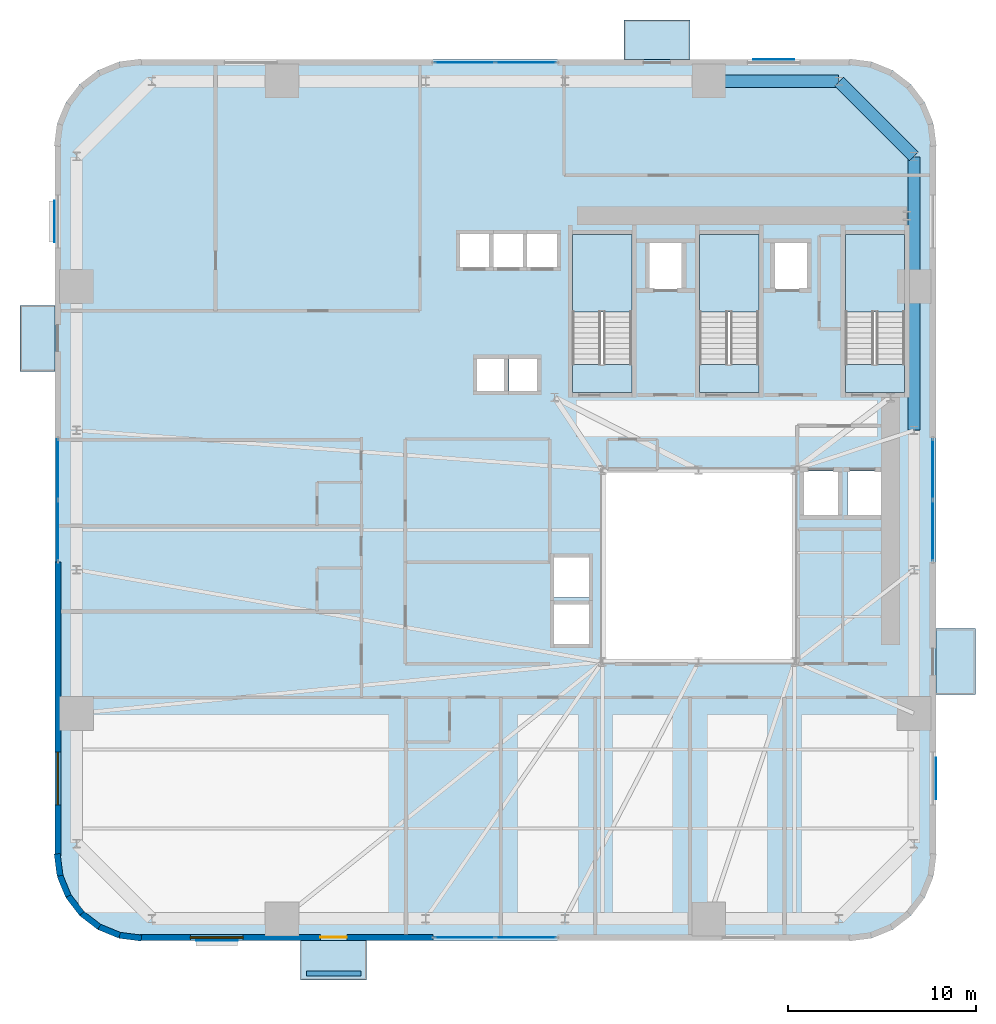
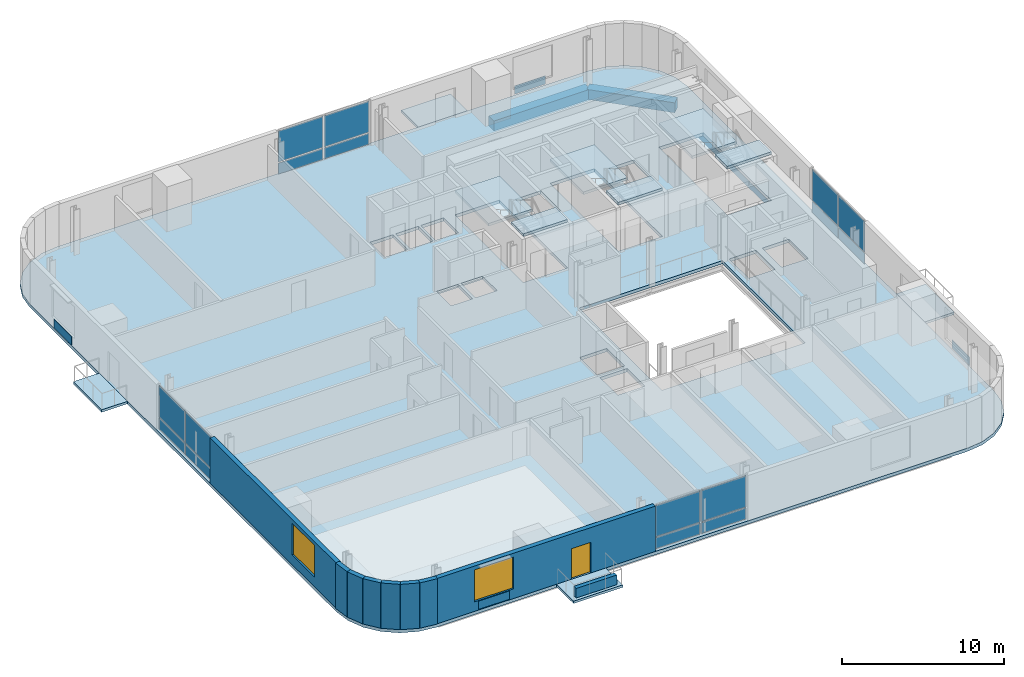
# One storey, part 5 of 11: 20 plates, 11 slabs, 9 walls, 4 beams, 2 windows, 1 door, 3 openings, 7 elements without a shape of their own.
"""IFC4 building model written with IfcOpenShell, lengths in metres."""

from ifc_helpers import new_model, si_unit, direction, frame, frame_2d, origin, origin_2d, place, context, subcontext, project, spatial, polyline, rectangle, outline, extrude, source, transform, mapped, material, layer, layer_set, material_profile, profile_set, type_object, element, fill, aggregate, save


model = new_model("IFC4")

# Units and contexts
model_context = context("Model", 3, precision=1e-05, world=origin(), true_north=direction((0.0, 1.0)))
body_context = subcontext(model_context, "Body", "Model", "MODEL_VIEW")
ifc_project = project(units=[si_unit("LENGTHUNIT", "METRE"), si_unit("AREAUNIT", "SQUARE_METRE"), si_unit("VOLUMEUNIT", "CUBIC_METRE"), si_unit("PLANEANGLEUNIT", "RADIAN"), si_unit("MASSUNIT", "GRAM", prefix="KILO")], contexts=[model_context])

# Site, building, storey
site_placement = place(None, origin())
site = spatial("IfcSite", under=ifc_project, at=site_placement, CompositionType="ELEMENT")
building_placement = place(site_placement, origin())
building = spatial("IfcBuilding", under=site, at=building_placement, Name="Vardaveli Station Tower", CompositionType="ELEMENT")
storey_placement = place(building_placement, frame((0.0, 0.0, 42.199951171875)))
storey = spatial("IfcBuildingStorey", under=building, at=storey_placement, Name="L10", CompositionType="ELEMENT", Elevation=42.199951171875)

# Beams
ifc_material_1 = material(Name="Precast concrete C45/55", Category="concrete")
ifc_material_profile = material_profile(ifc_material_1, rectangle(XDim=0.64990234375, YDim=0.75, at=origin_2d()), Name="LPB 650x750")
ifc_profile_set = profile_set([ifc_material_profile], Name="Precast concrete C45/55")
beam_type = type_object("IfcBeamType", Name="BM-LPB-750", PredefinedType="BEAM", material=ifc_profile_set)
shared_shape_1 = source(origin(), body_context, "Body", "SweptSolid", [
    extrude(rectangle(XDim=0.64990234375, YDim=0.75, at=origin_2d()), origin(), (0.0, 0.0, 1.0), 7.60009765625),
])
beam_1_placement = place(storey_placement, frame((47.75, 28.919921875, -0.614990234375), z_axis=(0.0, 1.0, 0.0), x_axis=(-1.0, 0.0, 0.0)))
element("IfcBeam", 1, at=beam_1_placement, inside=storey, type_object=beam_type, Name="RBM-L10-09", PredefinedType="BEAM", context=body_context, shape_type="MappedRepresentation", body=[
    mapped(shared_shape_1, transform((0.0, 0.0, 0.0), scale=1.0)),
])
shared_shape_2 = source(origin(), body_context, "Body", "SweptSolid", [
    extrude(rectangle(XDim=0.64990234375, YDim=0.75, at=origin_2d()), origin(), (0.0, 0.0, 1.0), 6.869873046875),
])
for number, where, z_axis, x_axis, name in (
    (2, (47.75, 36.56005859375, -0.614990234375), (0.0, 1.0, 0.0), (-1.0, 0.0, 0.0), "RBM-L10-10"),
    (3, (43.72998046875, 47.449951171875, -0.614990234375), (-1.0, 0.0, 0.0), (0.0, -1.0, 0.0), "RBM-L10-12"),
):
    element("IfcBeam", number, at=place(storey_placement, frame(where, z_axis=z_axis, x_axis=x_axis)), inside=storey, type_object=beam_type, Name=name, PredefinedType="BEAM", context=body_context, shape_type="MappedRepresentation", body=[
        mapped(shared_shape_2, transform((0.0, 0.0, 0.0), scale=1.0)),
    ])
shared_shape_3 = source(origin(), body_context, "Body", "SweptSolid", [
    extrude(rectangle(XDim=0.64990234375, YDim=0.75, at=origin_2d()), origin(), (0.0, 0.0, 1.0), 5.61669921875),
])
beam_2_placement = place(storey_placement, frame((47.73583984375, 43.464111328125, -0.614990234375), z_axis=(-0.707106781187, 0.707106781187, 0.0), x_axis=(-0.707106781187, -0.707106781187, 0.0)))
element("IfcBeam", 4, at=beam_2_placement, inside=storey, type_object=beam_type, Name="RBM-L10-11", PredefinedType="BEAM", context=body_context, shape_type="MappedRepresentation", body=[
    mapped(shared_shape_3, transform((0.0, 0.0, 0.0), scale=1.0)),
])

# Stair, slabs
ifc_material_2 = material(Name="Concrete C40/50", Category="concrete")
stair_type = type_object("IfcStairType", Name="STR-CORE-1500", PredefinedType="HALF_TURN_STAIR", material=ifc_material_2)
stair_1_placement = place(storey_placement, origin())
stair_1 = element("IfcStair", 5, at=stair_1_placement, inside=storey, type_object=stair_type, Name="L10 ST-1", PredefinedType="HALF_TURN_STAIR")
ifc_layer_1 = layer(ifc_material_2, 0.199951171875, Name="Concrete C40/50")
ifc_layer_set_1 = layer_set([ifc_layer_1], Name="Concrete C40/50")
slab_type_1 = type_object("IfcSlabType", Name="SLB-LAND-200", PredefinedType="LANDING", material=ifc_layer_set_1)
slab_1_placement = place(storey_placement, frame((0.0, 0.0, 1.625)))
slab_1 = element("IfcSlab", 6, at=slab_1_placement, type_object=slab_type_1, Name="ST-1 landing 1", PredefinedType="LANDING", context=body_context, shape_type="SweptSolid", body=[
    extrude(outline(polyline([(32.75, 35.199951171875), (32.75, 39.300048828125), (29.60009765625, 39.300048828125), (29.60009765625, 35.199951171875), (32.75, 35.199951171875)])), origin(), (0.0, 0.0, 1.0), 0.199951171875),
])
slab_2_placement = place(storey_placement, frame((0.0, 0.0, 3.449951171875)))
slab_2 = element("IfcSlab", 7, at=slab_2_placement, type_object=slab_type_1, Name="ST-1 landing 2", PredefinedType="LANDING", context=body_context, shape_type="SweptSolid", body=[
    extrude(outline(polyline([(32.75, 30.89990234375), (32.75, 32.39990234375), (29.60009765625, 32.39990234375), (29.60009765625, 30.89990234375), (32.75, 30.89990234375)])), origin(), (0.0, 0.0, 1.0), 0.2001953125),
])
aggregate(stair_1, [slab_1, slab_2])

stair_2_placement = place(storey_placement, origin())
stair_2 = element("IfcStair", 8, at=stair_2_placement, inside=storey, type_object=stair_type, Name="L10 ST-2", PredefinedType="HALF_TURN_STAIR")
slab_3_placement = place(storey_placement, frame((0.0, 0.0, 1.625)))
slab_3 = element("IfcSlab", 9, at=slab_3_placement, type_object=slab_type_1, Name="ST-2 landing 1", PredefinedType="LANDING", context=body_context, shape_type="SweptSolid", body=[
    extrude(outline(polyline([(39.5, 35.199951171875), (39.5, 39.300048828125), (36.35009765625, 39.300048828125), (36.35009765625, 35.199951171875), (39.5, 35.199951171875)])), origin(), (0.0, 0.0, 1.0), 0.199951171875),
])
slab_4_placement = place(storey_placement, frame((0.0, 0.0, 3.449951171875)))
slab_4 = element("IfcSlab", 10, at=slab_4_placement, type_object=slab_type_1, Name="ST-2 landing 2", PredefinedType="LANDING", context=body_context, shape_type="SweptSolid", body=[
    extrude(outline(polyline([(39.5, 30.89990234375), (39.5, 32.39990234375), (36.35009765625, 32.39990234375), (36.35009765625, 30.89990234375), (39.5, 30.89990234375)])), origin(), (0.0, 0.0, 1.0), 0.2001953125),
])
aggregate(stair_2, [slab_3, slab_4])

stair_3_placement = place(storey_placement, origin())
stair_3 = element("IfcStair", 11, at=stair_3_placement, inside=storey, type_object=stair_type, Name="L10 ST-3", PredefinedType="HALF_TURN_STAIR")
slab_5_placement = place(storey_placement, frame((0.0, 0.0, 1.625)))
slab_5 = element("IfcSlab", 12, at=slab_5_placement, type_object=slab_type_1, Name="ST-3 landing 1", PredefinedType="LANDING", context=body_context, shape_type="SweptSolid", body=[
    extrude(outline(polyline([(47.25, 35.199951171875), (47.25, 39.300048828125), (44.10009765625, 39.300048828125), (44.10009765625, 35.199951171875), (47.25, 35.199951171875)])), origin(), (0.0, 0.0, 1.0), 0.199951171875),
])
slab_6_placement = place(storey_placement, frame((0.0, 0.0, 3.449951171875)))
slab_6 = element("IfcSlab", 13, at=slab_6_placement, type_object=slab_type_1, Name="ST-3 landing 2", PredefinedType="LANDING", context=body_context, shape_type="SweptSolid", body=[
    extrude(outline(polyline([(47.25, 30.89990234375), (47.25, 32.39990234375), (44.10009765625, 32.39990234375), (44.10009765625, 30.89990234375), (47.25, 30.89990234375)])), origin(), (0.0, 0.0, 1.0), 0.2001953125),
])
aggregate(stair_3, [slab_5, slab_6])

# Slabs
ifc_layer_2 = layer(ifc_material_1, 0.179931640625, Name="Precast concrete C45/55")
ifc_layer_set_2 = layer_set([ifc_layer_2], Name="Precast concrete C45/55")
slab_type_2 = type_object("IfcSlabType", Name="SLB-LOGGIA-180", PredefinedType="FLOOR", material=ifc_layer_set_2)
slab_7_placement = place(storey_placement, frame((0.0, 0.0, -0.179931640625)))
element("IfcSlab", 14, at=slab_7_placement, inside=storey, type_object=slab_type_2, Name="LOG-L10-S", PredefinedType="FLOOR", context=body_context, shape_type="SweptSolid", body=[
    extrude(outline(polyline([(15.160400390625, -0.300048828125), (18.660400390625, -0.300048828125), (18.660400390625, 1.800048828125), (15.160400390625, 1.800048828125), (15.160400390625, -0.300048828125)])), origin(), (0.0, 0.0, 1.0), 0.179931640625),
])
slab_8_placement = place(storey_placement, frame((0.0, 0.0, -0.179931640625)))
element("IfcSlab", 15, at=slab_8_placement, inside=storey, type_object=slab_type_2, Name="LOG-L10-N", PredefinedType="FLOOR", context=body_context, shape_type="SweptSolid", body=[
    extrude(outline(polyline([(32.339599609375, 48.60009765625), (35.839599609375, 48.60009765625), (35.839599609375, 50.699951171875), (32.339599609375, 50.699951171875), (32.339599609375, 48.60009765625)])), origin(), (0.0, 0.0, 1.0), 0.179931640625),
])
slab_9_placement = place(storey_placement, frame((0.0, 0.0, -0.179931640625)))
element("IfcSlab", 16, at=slab_9_placement, inside=storey, type_object=slab_type_2, Name="LOG-L10-W", PredefinedType="FLOOR", context=body_context, shape_type="SweptSolid", body=[
    extrude(outline(polyline([(0.25, 32.03955078125), (2.10009765625, 32.03955078125), (2.10009765625, 35.53955078125), (0.25, 35.53955078125), (0.25, 32.03955078125)])), origin(), (0.0, 0.0, 1.0), 0.179931640625),
])
slab_10_placement = place(storey_placement, frame((0.0, 0.0, -0.179931640625)))
element("IfcSlab", 17, at=slab_10_placement, inside=storey, type_object=slab_type_2, Name="LOG-L10-E", PredefinedType="FLOOR", context=body_context, shape_type="SweptSolid", body=[
    extrude(outline(polyline([(48.89990234375, 14.8603515625), (51.0, 14.8603515625), (51.0, 18.3603515625), (48.89990234375, 18.3603515625), (48.89990234375, 14.8603515625)])), origin(), (0.0, 0.0, 1.0), 0.179931640625),
])
ifc_layer_3 = layer(ifc_material_2, 0.239990234375, Name="Concrete C40/50")
ifc_layer_set_3 = layer_set([ifc_layer_3], Name="Concrete C40/50")
slab_type_3 = type_object("IfcSlabType", Name="SLB-TOW-240", PredefinedType="FLOOR", material=ifc_layer_set_3)
slab_11_placement = place(storey_placement, frame((0.0, 0.0, -0.239990234375)))
element("IfcSlab", 18, at=slab_11_placement, inside=storey, type_object=slab_type_3, Name="SLB-L10-MAIN", PredefinedType="FLOOR", context=body_context, shape_type="SweptSolid", body=[
    extrude(outline(polyline([(2.10009765625, 6.300048828125), (2.25341796875, 5.13525390625), (2.702880859375, 4.050048828125), (3.41796875, 3.117919921875), (4.35009765625, 2.40283203125), (5.435302734375, 1.953369140625), (6.60009765625, 1.800048828125), (44.39990234375, 1.800048828125), (45.564697265625, 1.953369140625), (46.64990234375, 2.40283203125), (47.58203125, 3.117919921875), (48.297119140625, 4.050048828125), (48.74658203125, 5.13525390625), (48.89990234375, 6.300048828125), (48.89990234375, 44.10009765625), (48.74658203125, 45.2646484375), (48.297119140625, 46.35009765625), (47.58203125, 47.281982421875), (46.64990234375, 47.9970703125), (45.564697265625, 48.44677734375), (44.39990234375, 48.60009765625), (6.60009765625, 48.60009765625), (5.435302734375, 48.44677734375), (4.35009765625, 47.9970703125), (3.41796875, 47.281982421875), (2.702880859375, 46.35009765625), (2.25341796875, 45.2646484375), (2.10009765625, 44.10009765625), (2.10009765625, 6.300048828125)]), holes=[polyline([(31.199951171875, 16.60009765625), (41.39990234375, 16.60009765625), (41.39990234375, 26.800048828125), (31.199951171875, 26.800048828125), (31.199951171875, 16.60009765625)]), polyline([(32.75, 30.89990234375), (32.75, 39.300048828125), (29.60009765625, 39.300048828125), (29.60009765625, 30.89990234375), (32.75, 30.89990234375)]), polyline([(39.5, 30.89990234375), (39.5, 39.300048828125), (36.35009765625, 39.300048828125), (36.35009765625, 30.89990234375), (39.5, 30.89990234375)]), polyline([(47.25, 30.89990234375), (47.25, 39.300048828125), (44.10009765625, 39.300048828125), (44.10009765625, 30.89990234375), (47.25, 30.89990234375)]), polyline([(23.5849609375, 37.534912109375), (25.215087890625, 37.534912109375), (25.215087890625, 39.364990234375), (23.5849609375, 39.364990234375), (23.5849609375, 37.534912109375)]), polyline([(25.385009765625, 37.534912109375), (27.014892578125, 37.534912109375), (27.014892578125, 39.364990234375), (25.385009765625, 39.364990234375), (25.385009765625, 37.534912109375)]), polyline([(27.18505859375, 37.534912109375), (28.81494140625, 37.534912109375), (28.81494140625, 39.364990234375), (27.18505859375, 39.364990234375), (27.18505859375, 37.534912109375)]), polyline([(33.659912109375, 36.409912109375), (35.43994140625, 36.409912109375), (35.43994140625, 38.889892578125), (33.659912109375, 38.889892578125), (33.659912109375, 36.409912109375)]), polyline([(40.31005859375, 36.409912109375), (42.090087890625, 36.409912109375), (42.090087890625, 38.889892578125), (40.31005859375, 38.889892578125), (40.31005859375, 36.409912109375)]), polyline([(24.485107421875, 30.9599609375), (26.014892578125, 30.9599609375), (26.014892578125, 32.739990234375), (24.485107421875, 32.739990234375), (24.485107421875, 30.9599609375)]), polyline([(26.235107421875, 30.9599609375), (27.764892578125, 30.9599609375), (27.764892578125, 32.739990234375), (26.235107421875, 32.739990234375), (26.235107421875, 30.9599609375)]), polyline([(28.5849609375, 17.510009765625), (30.514892578125, 17.510009765625), (30.514892578125, 19.68994140625), (28.5849609375, 19.68994140625), (28.5849609375, 17.510009765625)]), polyline([(28.5849609375, 20.010009765625), (30.514892578125, 20.010009765625), (30.514892578125, 22.18994140625), (28.5849609375, 22.18994140625), (28.5849609375, 20.010009765625)]), polyline([(41.860107421875, 24.360107421875), (43.739990234375, 24.360107421875), (43.739990234375, 26.739990234375), (41.860107421875, 26.739990234375), (41.860107421875, 24.360107421875)]), polyline([(44.2099609375, 24.360107421875), (46.090087890625, 24.360107421875), (46.090087890625, 26.739990234375), (44.2099609375, 26.739990234375), (44.2099609375, 24.360107421875)])]), origin(), (0.0, 0.0, 1.0), 0.239990234375),
])

# Curtain wall, plates
ifc_material_3 = material(Name="Travertine stone and solar-control glass", Category="masonry")
curtain_wall_type = type_object("IfcCurtainWallType", Name="CW-SYS-2", PredefinedType="NOTDEFINED", material=ifc_material_3)
curtain_wall_1_placement = place(storey_placement, origin())
curtain_wall_1 = element("IfcCurtainWall", 19, at=curtain_wall_1_placement, inside=storey, type_object=curtain_wall_type, Name="CW-L10-S", PredefinedType="NOTDEFINED")
ifc_material_4 = material(Name="Double-glazed low-E solar-control glass", Category="glass")
ifc_layer_4 = layer(ifc_material_4, 0.035888671875, Name="Double-glazed low-E solar-control glass")
ifc_layer_set_4 = layer_set([ifc_layer_4], Name="Double-glazed low-E solar-control glass")
plate_type_1 = type_object("IfcPlateType", Name="CW-SYS-2-PAN", PredefinedType="CURTAIN_PANEL", material=ifc_layer_set_4)
shared_shape_4 = source(origin(), body_context, "Body", "SweptSolid", [
    extrude(rectangle(XDim=3.172607421875, YDim=0.035888671875, at=origin_2d()), origin(), (0.0, 0.0, 1.0), 0.822509765625),
])
plate_1_placement = place(storey_placement, frame((23.871337890625, 1.9599609375, 0.0849609375), z_axis=(0.0, 0.0, 1.0), x_axis=(1.0, 0.0, 0.0)))
plate_1 = element("IfcPlate", 20, at=plate_1_placement, type_object=plate_type_1, Name="CW-2 panel 1.1", PredefinedType="CURTAIN_PANEL", context=body_context, shape_type="MappedRepresentation", body=[
    mapped(shared_shape_4, transform((0.0, 0.0, 0.0), scale=1.0)),
])
plate_2_placement = place(storey_placement, frame((27.128662109375, 1.9599609375, 0.0849609375), z_axis=(0.0, 0.0, 1.0), x_axis=(1.0, 0.0, 0.0)))
plate_2 = element("IfcPlate", 21, at=plate_2_placement, type_object=plate_type_1, Name="CW-2 panel 2.1", PredefinedType="CURTAIN_PANEL", context=body_context, shape_type="MappedRepresentation", body=[
    mapped(shared_shape_4, transform((0.0, 0.0, 0.0), scale=1.0)),
])

curtain_wall_2_placement = place(storey_placement, origin())
curtain_wall_2 = element("IfcCurtainWall", 22, at=curtain_wall_2_placement, inside=storey, type_object=curtain_wall_type, Name="CW-L10-N", PredefinedType="NOTDEFINED")
plate_3_placement = place(storey_placement, frame((27.128662109375, 48.43994140625, 0.0849609375), z_axis=(0.0, 0.0, 1.0), x_axis=(-1.0, 0.0, 0.0)))
plate_3 = element("IfcPlate", 23, at=plate_3_placement, type_object=plate_type_1, Name="CW-2 panel 1.1", PredefinedType="CURTAIN_PANEL", context=body_context, shape_type="MappedRepresentation", body=[
    mapped(shared_shape_4, transform((0.0, 0.0, 0.0), scale=1.0)),
])
plate_4_placement = place(storey_placement, frame((23.871337890625, 48.43994140625, 0.0849609375), z_axis=(0.0, 0.0, 1.0), x_axis=(-1.0, 0.0, 0.0)))
plate_4 = element("IfcPlate", 24, at=plate_4_placement, type_object=plate_type_1, Name="CW-2 panel 2.1", PredefinedType="CURTAIN_PANEL", context=body_context, shape_type="MappedRepresentation", body=[
    mapped(shared_shape_4, transform((0.0, 0.0, 0.0), scale=1.0)),
])

curtain_wall_3_placement = place(storey_placement, origin())
curtain_wall_3 = element("IfcCurtainWall", 25, at=curtain_wall_3_placement, inside=storey, type_object=curtain_wall_type, Name="CW-L10-W", PredefinedType="NOTDEFINED")
plate_5_placement = place(storey_placement, frame((2.260009765625, 26.828857421875, 0.0849609375), z_axis=(0.0, 0.0, 1.0), x_axis=(0.0, -1.0, 0.0)))
plate_5 = element("IfcPlate", 26, at=plate_5_placement, type_object=plate_type_1, Name="CW-2 panel 1.1", PredefinedType="CURTAIN_PANEL", context=body_context, shape_type="MappedRepresentation", body=[
    mapped(shared_shape_4, transform((0.0, 0.0, 0.0), scale=1.0)),
])
plate_6_placement = place(storey_placement, frame((2.260009765625, 23.5712890625, 0.0849609375), z_axis=(0.0, 0.0, 1.0), x_axis=(0.0, -1.0, 0.0)))
plate_6 = element("IfcPlate", 27, at=plate_6_placement, type_object=plate_type_1, Name="CW-2 panel 2.1", PredefinedType="CURTAIN_PANEL", context=body_context, shape_type="MappedRepresentation", body=[
    mapped(shared_shape_4, transform((0.0, 0.0, 0.0), scale=1.0)),
])

curtain_wall_4_placement = place(storey_placement, origin())
curtain_wall_4 = element("IfcCurtainWall", 28, at=curtain_wall_4_placement, inside=storey, type_object=curtain_wall_type, Name="CW-L10-E", PredefinedType="NOTDEFINED")
plate_7_placement = place(storey_placement, frame((48.739990234375, 23.5712890625, 0.0849609375), z_axis=(0.0, 0.0, 1.0), x_axis=(0.0, 1.0, 0.0)))
plate_7 = element("IfcPlate", 29, at=plate_7_placement, type_object=plate_type_1, Name="CW-2 panel 1.1", PredefinedType="CURTAIN_PANEL", context=body_context, shape_type="MappedRepresentation", body=[
    mapped(shared_shape_4, transform((0.0, 0.0, 0.0), scale=1.0)),
])
plate_8_placement = place(storey_placement, frame((48.739990234375, 26.828857421875, 0.0849609375), z_axis=(0.0, 0.0, 1.0), x_axis=(0.0, 1.0, 0.0)))
plate_8 = element("IfcPlate", 30, at=plate_8_placement, type_object=plate_type_1, Name="CW-2 panel 2.1", PredefinedType="CURTAIN_PANEL", context=body_context, shape_type="MappedRepresentation", body=[
    mapped(shared_shape_4, transform((0.0, 0.0, 0.0), scale=1.0)),
])

# Plate
shared_shape_5 = source(origin(), body_context, "Body", "SweptSolid", [
    extrude(rectangle(XDim=3.172607421875, YDim=0.035888671875, at=origin_2d()), origin(), (0.0, 0.0, 1.0), 2.33251953125),
])
plate_9_placement = place(storey_placement, frame((23.871337890625, 1.9599609375, 0.992431640625), z_axis=(0.0, 0.0, 1.0), x_axis=(1.0, 0.0, 0.0)))
plate_9 = element("IfcPlate", 31, at=plate_9_placement, type_object=plate_type_1, Name="CW-2 panel 1.2", PredefinedType="CURTAIN_PANEL", context=body_context, shape_type="MappedRepresentation", body=[
    mapped(shared_shape_5, transform((0.0, 0.0, 0.0), scale=1.0)),
])

plate_10_placement = place(storey_placement, frame((27.128662109375, 1.9599609375, 0.992431640625), z_axis=(0.0, 0.0, 1.0), x_axis=(1.0, 0.0, 0.0)))
plate_10 = element("IfcPlate", 32, at=plate_10_placement, type_object=plate_type_1, Name="CW-2 panel 2.2", PredefinedType="CURTAIN_PANEL", context=body_context, shape_type="MappedRepresentation", body=[
    mapped(shared_shape_5, transform((0.0, 0.0, 0.0), scale=1.0)),
])

aggregate(curtain_wall_1, [plate_1, plate_9, plate_2, plate_10])

plate_11_placement = place(storey_placement, frame((27.128662109375, 48.43994140625, 0.992431640625), z_axis=(0.0, 0.0, 1.0), x_axis=(-1.0, 0.0, 0.0)))
plate_11 = element("IfcPlate", 33, at=plate_11_placement, type_object=plate_type_1, Name="CW-2 panel 1.2", PredefinedType="CURTAIN_PANEL", context=body_context, shape_type="MappedRepresentation", body=[
    mapped(shared_shape_5, transform((0.0, 0.0, 0.0), scale=1.0)),
])

plate_12_placement = place(storey_placement, frame((23.871337890625, 48.43994140625, 0.992431640625), z_axis=(0.0, 0.0, 1.0), x_axis=(-1.0, 0.0, 0.0)))
plate_12 = element("IfcPlate", 34, at=plate_12_placement, type_object=plate_type_1, Name="CW-2 panel 2.2", PredefinedType="CURTAIN_PANEL", context=body_context, shape_type="MappedRepresentation", body=[
    mapped(shared_shape_5, transform((0.0, 0.0, 0.0), scale=1.0)),
])

aggregate(curtain_wall_2, [plate_3, plate_11, plate_4, plate_12])

plate_13_placement = place(storey_placement, frame((2.260009765625, 26.828857421875, 0.992431640625), z_axis=(0.0, 0.0, 1.0), x_axis=(0.0, -1.0, 0.0)))
plate_13 = element("IfcPlate", 35, at=plate_13_placement, type_object=plate_type_1, Name="CW-2 panel 1.2", PredefinedType="CURTAIN_PANEL", context=body_context, shape_type="MappedRepresentation", body=[
    mapped(shared_shape_5, transform((0.0, 0.0, 0.0), scale=1.0)),
])

plate_14_placement = place(storey_placement, frame((2.260009765625, 23.5712890625, 0.992431640625), z_axis=(0.0, 0.0, 1.0), x_axis=(0.0, -1.0, 0.0)))
plate_14 = element("IfcPlate", 36, at=plate_14_placement, type_object=plate_type_1, Name="CW-2 panel 2.2", PredefinedType="CURTAIN_PANEL", context=body_context, shape_type="MappedRepresentation", body=[
    mapped(shared_shape_5, transform((0.0, 0.0, 0.0), scale=1.0)),
])

aggregate(curtain_wall_3, [plate_5, plate_13, plate_6, plate_14])

plate_15_placement = place(storey_placement, frame((48.739990234375, 23.5712890625, 0.992431640625), z_axis=(0.0, 0.0, 1.0), x_axis=(0.0, 1.0, 0.0)))
plate_15 = element("IfcPlate", 37, at=plate_15_placement, type_object=plate_type_1, Name="CW-2 panel 1.2", PredefinedType="CURTAIN_PANEL", context=body_context, shape_type="MappedRepresentation", body=[
    mapped(shared_shape_5, transform((0.0, 0.0, 0.0), scale=1.0)),
])

plate_16_placement = place(storey_placement, frame((48.739990234375, 26.828857421875, 0.992431640625), z_axis=(0.0, 0.0, 1.0), x_axis=(0.0, 1.0, 0.0)))
plate_16 = element("IfcPlate", 38, at=plate_16_placement, type_object=plate_type_1, Name="CW-2 panel 2.2", PredefinedType="CURTAIN_PANEL", context=body_context, shape_type="MappedRepresentation", body=[
    mapped(shared_shape_5, transform((0.0, 0.0, 0.0), scale=1.0)),
])

aggregate(curtain_wall_4, [plate_7, plate_15, plate_8, plate_16])

# Plates
ifc_material_5 = material(Name="Honed Caucasian travertine stone", Category="masonry")
ifc_layer_5 = layer(ifc_material_5, 0.034912109375, Name="Honed Caucasian travertine stone")
ifc_layer_set_5 = layer_set([ifc_layer_5], Name="Honed Caucasian travertine stone")
plate_type_2 = type_object("IfcPlateType", Name="PLT-TRAV-35", PredefinedType="SHEET", material=ifc_layer_set_5)
shared_shape_6 = source(origin(), body_context, "Body", "SweptSolid", [
    extrude(rectangle(XDim=2.199951171875, YDim=0.034912109375, at=origin_2d()), origin(), (0.0, 0.0, 1.0), 0.6201171875),
])
for number, where, z_axis, x_axis, name in (
    (39, (10.705078125, 1.79052734375, 0.070068359375), (0.0, 0.0, 1.0), (1.0, 0.0, 0.0), "PLT-TR-L10-S"),
    (40, (40.294921875, 48.609619140625, 0.070068359375), (0.0, 0.0, 1.0), (1.0, 0.0, 0.0), "PLT-TR-L10-N"),
    (41, (2.090576171875, 39.9951171875, 0.070068359375), (0.0, 0.0, 1.0), (0.0, 1.0, 0.0), "PLT-TR-L10-W"),
    (42, (48.909423828125, 10.405029296875, 0.070068359375), (0.0, 0.0, 1.0), (0.0, 1.0, 0.0), "PLT-TR-L10-E"),
):
    element("IfcPlate", number, at=place(storey_placement, frame(where, z_axis=z_axis, x_axis=x_axis)), inside=storey, type_object=plate_type_2, Name=name, PredefinedType="SHEET", context=body_context, shape_type="MappedRepresentation", body=[
        mapped(shared_shape_6, transform((0.0, 0.0, 0.0), scale=1.0)),
    ])

# Wall, openings, door, window
ifc_layer_6 = layer(ifc_material_1, 0.320068359375, Name="Precast concrete C45/55")
ifc_layer_set_6 = layer_set([ifc_layer_6], Name="Precast concrete C45/55")
wall_type_1 = type_object("IfcWallType", Name="WAL-EXT-STONE-320", PredefinedType="SOLIDWALL", material=ifc_layer_set_6)
shared_shape_7 = source(origin(), body_context, "Body", "SweptSolid", [
    extrude(rectangle(XDim=15.599853515625, YDim=0.320068359375, at=frame_2d((7.7998046875, 0.0))), origin(), (0.0, 0.0, 1.0), 3.41015625),
])
wall_1_placement = place(storey_placement, frame((6.60009765625, 1.9599609375, 0.0), z_axis=(0.0, 0.0, 1.0), x_axis=(1.0, 0.0, 0.0)))
wall_1 = element("IfcWall", 43, at=wall_1_placement, inside=storey, type_object=wall_type_1, Name="EW-L10-S1", PredefinedType="SOLIDWALL", context=body_context, shape_type="MappedRepresentation", body=[
    mapped(shared_shape_7, transform((0.0, 0.0, 0.0), scale=1.0)),
])
shared_shape_8 = source(origin(), body_context, "Body", "SweptSolid", [
    extrude(rectangle(XDim=1.39990234375, YDim=2.300048828125, at=frame_2d((0.699951171875, 1.14990234375))), frame((0.0, 0.169921875, 0.0), z_axis=(0.0, -1.0, 0.0), x_axis=(1.0, 0.0, 0.0)), (0.0, 0.0, 1.0), 0.340087890625),
])
opening_1_placement = place(wall_1_placement, frame((9.6103515625, 0.0, 0.0)))
opening_1 = element("IfcOpeningElement", 44, at=opening_1_placement, cuts=wall_1, Name="Opening D-09", PredefinedType="OPENING", context=body_context, shape_type="MappedRepresentation", body=[
    mapped(shared_shape_8, transform((0.0, 0.0, 0.0), scale=1.0)),
])
shared_shape_9 = source(origin(), body_context, "Body", "SweptSolid", [
    extrude(rectangle(XDim=2.800048828125, YDim=2.39990234375, at=frame_2d((1.39990234375, 1.199951171875))), frame((0.0, 0.169921875, 0.0), z_axis=(0.0, -1.0, 0.0), x_axis=(1.0, 0.0, 0.0)), (0.0, 0.0, 1.0), 0.340087890625),
])
opening_2_placement = place(wall_1_placement, frame((2.705078125, 0.0, 0.719970703125)))
opening_2 = element("IfcOpeningElement", 45, at=opening_2_placement, cuts=wall_1, Name="Opening W-04", PredefinedType="OPENING", context=body_context, shape_type="MappedRepresentation", body=[
    mapped(shared_shape_9, transform((0.0, 0.0, 0.0), scale=1.0)),
])
ifc_material_6 = material(Name="Thermally broken aluminium glass", Category="aluminium")
door_type = type_object("IfcDoorType", Name="DR-LOG-1400x2300", OperationType="DOUBLE_DOOR_SLIDING", PredefinedType="DOOR", material=ifc_material_6)
shared_shape_10 = source(origin(), body_context, "Body", "SweptSolid", [
    extrude(rectangle(XDim=1.39990234375, YDim=2.300048828125, at=frame_2d((0.699951171875, 1.14990234375))), frame((0.0, 0.02490234375, 0.0), z_axis=(0.0, -1.0, 0.0), x_axis=(1.0, 0.0, 0.0)), (0.0, 0.0, 1.0), 0.050048828125),
])
door_placement = place(opening_1_placement, frame((1.39990234375, 0.0, 0.0), z_axis=(0.0, 0.0, 1.0), x_axis=(-1.0, 0.0, 0.0)))
door = element("IfcDoor", 46, at=door_placement, inside=storey, type_object=door_type, Name="DLG-L10-S", OperationType="DOUBLE_DOOR_SLIDING", OverallHeight=2.300048828125, OverallWidth=1.39990234375, PredefinedType="DOOR", context=body_context, shape_type="MappedRepresentation", body=[
    mapped(shared_shape_10, transform((0.0, 0.0, 0.0), scale=1.0)),
])
fill(opening_1, door)
ifc_material_7 = material(Name="Low-E solar-control glass", Category="glass")
window_type = type_object("IfcWindowType", Name="WIN-SUITE-2800x2400", PartitioningType="SINGLE_PANEL", PredefinedType="WINDOW", material=ifc_material_7)
shared_shape_11 = source(origin(), body_context, "Body", "SweptSolid", [
    extrude(rectangle(XDim=2.800048828125, YDim=2.39990234375, at=frame_2d((1.39990234375, 1.199951171875))), frame((0.0, 0.030029296875, 0.0), z_axis=(0.0, -1.0, 0.0), x_axis=(1.0, 0.0, 0.0)), (0.0, 0.0, 1.0), 0.06005859375),
])
window_1_placement = place(opening_2_placement, origin())
window_1 = element("IfcWindow", 47, at=window_1_placement, inside=storey, type_object=window_type, Name="WN-L10-S1", OverallHeight=2.39990234375, OverallWidth=2.800048828125, PartitioningType="SINGLE_PANEL", PredefinedType="WINDOW", context=body_context, shape_type="MappedRepresentation", body=[
    mapped(shared_shape_11, transform((0.0, 0.0, 0.0), scale=1.0)),
])
fill(opening_2, window_1)

# Wall, opening, window
wall_2_placement = place(storey_placement, frame((2.260009765625, 21.89990234375, 0.0), z_axis=(0.0, 0.0, 1.0), x_axis=(0.0, -1.0, 0.0)))
wall_2 = element("IfcWall", 48, at=wall_2_placement, inside=storey, type_object=wall_type_1, Name="EW-L10-W2", PredefinedType="SOLIDWALL", context=body_context, shape_type="MappedRepresentation", body=[
    mapped(shared_shape_7, transform((0.0, 0.0, 0.0), scale=1.0)),
])
opening_3_placement = place(wall_2_placement, frame((10.094970703125, 0.0, 0.719970703125)))
opening_3 = element("IfcOpeningElement", 49, at=opening_3_placement, cuts=wall_2, Name="Opening W-04", PredefinedType="OPENING", context=body_context, shape_type="MappedRepresentation", body=[
    mapped(shared_shape_9, transform((0.0, 0.0, 0.0), scale=1.0)),
])
window_2_placement = place(opening_3_placement, origin())
window_2 = element("IfcWindow", 50, at=window_2_placement, inside=storey, type_object=window_type, Name="WN-L10-W2", OverallHeight=2.39990234375, OverallWidth=2.800048828125, PartitioningType="SINGLE_PANEL", PredefinedType="WINDOW", context=body_context, shape_type="MappedRepresentation", body=[
    mapped(shared_shape_11, transform((0.0, 0.0, 0.0), scale=1.0)),
])
fill(opening_3, window_2)

# Walls
shared_shape_12 = source(origin(), body_context, "Body", "SweptSolid", [
    extrude(rectangle(XDim=1.170654296875, YDim=0.320068359375, at=frame_2d((0.58544921875, 0.0))), origin(), (0.0, 0.0, 1.0), 3.41015625),
])
wall_3_placement = place(storey_placement, frame((2.224365234375, 6.400634765625, 0.0), z_axis=(0.0, 0.0, 1.0), x_axis=(0.128269133229, -0.991739395941, 0.0)))
element("IfcWall", 51, at=wall_3_placement, inside=storey, type_object=wall_type_1, Name="EW-L10-CR1-1", PredefinedType="SOLIDWALL", context=body_context, shape_type="MappedRepresentation", body=[
    mapped(shared_shape_12, transform((0.0, 0.0, 0.0), scale=1.0)),
])
shared_shape_13 = source(origin(), body_context, "Body", "SweptSolid", [
    extrude(rectangle(XDim=1.1689453125, YDim=0.320068359375, at=frame_2d((0.58447265625, 0.0))), origin(), (0.0, 0.0, 1.0), 3.41015625),
])
for number, where, z_axis, x_axis, name in (
    (52, (2.37451171875, 5.23974609375, 0.0), (0.0, 0.0, 1.0), (0.381127904695, -0.924522320046, 0.0), "EW-L10-CR1-2"),
    (53, (2.820068359375, 4.158935546875, 0.0), (0.0, 0.0, 1.0), (0.608387696831, -0.793639975269, 0.0), "EW-L10-CR1-3"),
):
    element("IfcWall", number, at=place(storey_placement, frame(where, z_axis=z_axis, x_axis=x_axis)), inside=storey, type_object=wall_type_1, Name=name, PredefinedType="SOLIDWALL", context=body_context, shape_type="MappedRepresentation", body=[
        mapped(shared_shape_13, transform((0.0, 0.0, 0.0), scale=1.0)),
    ])
shared_shape_14 = source(origin(), body_context, "Body", "SweptSolid", [
    extrude(rectangle(XDim=1.168701171875, YDim=0.320068359375, at=frame_2d((0.58447265625, 0.0))), origin(), (0.0, 0.0, 1.0), 3.41015625),
])
wall_4_placement = place(storey_placement, frame((3.53125, 3.231201171875, 0.0), z_axis=(0.0, 0.0, 1.0), x_axis=(0.793663520347, -0.608356981114, 0.0)))
element("IfcWall", 54, at=wall_4_placement, inside=storey, type_object=wall_type_1, Name="EW-L10-CR1-4", PredefinedType="SOLIDWALL", context=body_context, shape_type="MappedRepresentation", body=[
    mapped(shared_shape_14, transform((0.0, 0.0, 0.0), scale=1.0)),
])
shared_shape_15 = source(origin(), body_context, "Body", "SweptSolid", [
    extrude(rectangle(XDim=1.16943359375, YDim=0.320068359375, at=frame_2d((0.584716796875, 0.0))), origin(), (0.0, 0.0, 1.0), 3.41015625),
])
wall_5_placement = place(storey_placement, frame((4.458740234375, 2.520263671875, 0.0), z_axis=(0.0, 0.0, 1.0), x_axis=(0.924479075121, -0.381232789334, 0.0)))
element("IfcWall", 55, at=wall_5_placement, inside=storey, type_object=wall_type_1, Name="EW-L10-CR1-5", PredefinedType="SOLIDWALL", context=body_context, shape_type="MappedRepresentation", body=[
    mapped(shared_shape_15, transform((0.0, 0.0, 0.0), scale=1.0)),
])
shared_shape_16 = source(origin(), body_context, "Body", "SweptSolid", [
    extrude(rectangle(XDim=1.170166015625, YDim=0.320068359375, at=frame_2d((0.5849609375, 0.0))), origin(), (0.0, 0.0, 1.0), 3.41015625),
])
wall_6_placement = place(storey_placement, frame((5.539794921875, 2.074462890625, 0.0), z_axis=(0.0, 0.0, 1.0), x_axis=(0.991762485493, -0.128090485085, 0.0)))
element("IfcWall", 56, at=wall_6_placement, inside=storey, type_object=wall_type_1, Name="EW-L10-CR1-6", PredefinedType="SOLIDWALL", context=body_context, shape_type="MappedRepresentation", body=[
    mapped(shared_shape_16, transform((0.0, 0.0, 0.0), scale=1.0)),
])
ifc_layer_7 = layer(ifc_material_1, 0.280029296875, Name="Precast concrete C45/55")
ifc_layer_set_7 = layer_set([ifc_layer_7], Name="Precast concrete C45/55")
wall_type_2 = type_object("IfcWallType", Name="WAL-PARAPET-280", PredefinedType="SOLIDWALL", material=ifc_layer_set_7)
shared_shape_17 = source(origin(), body_context, "Body", "SweptSolid", [
    extrude(rectangle(XDim=2.89990234375, YDim=0.280029296875, at=frame_2d((1.449951171875, 0.0))), origin(), (0.0, 0.0, 1.0), 0.719970703125),
])
wall_7_placement = place(storey_placement, frame((15.46044921875, 0.050048828125, 0.0), z_axis=(0.0, 0.0, 1.0), x_axis=(1.0, 0.0, 0.0)))
element("IfcWall", 57, at=wall_7_placement, inside=storey, type_object=wall_type_2, Name="Terrace Travertine Planter L10", PredefinedType="SOLIDWALL", context=body_context, shape_type="MappedRepresentation", body=[
    mapped(shared_shape_17, transform((0.0, 0.0, 0.0), scale=1.0)),
])

save(model, "model.ifc")
